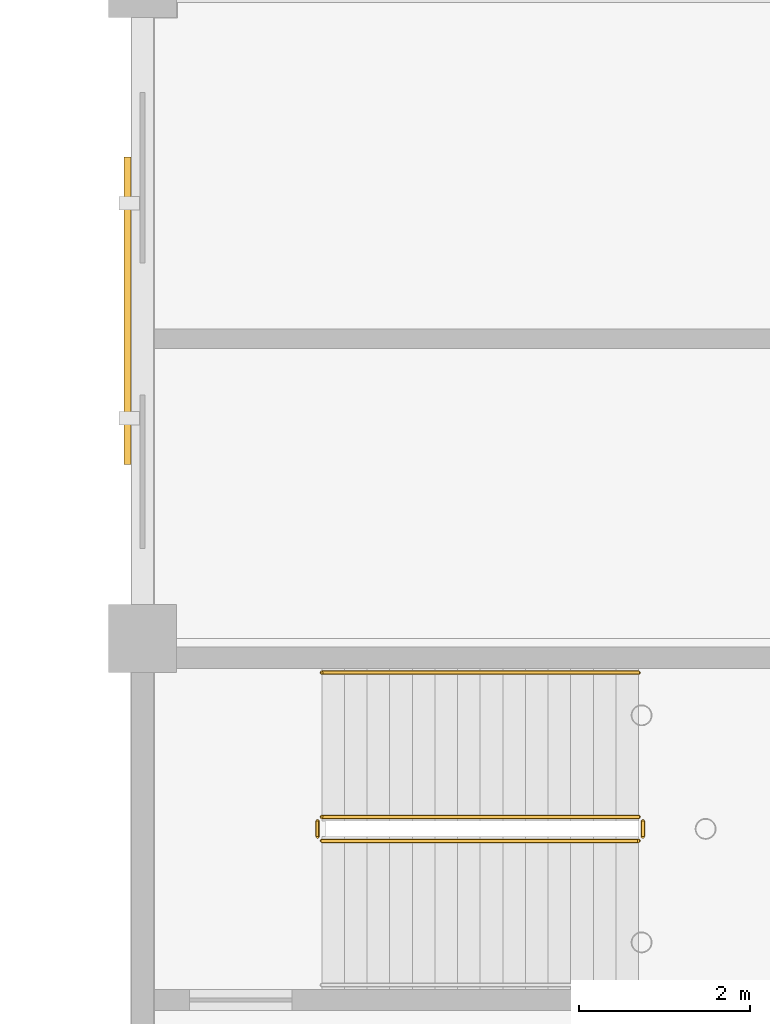
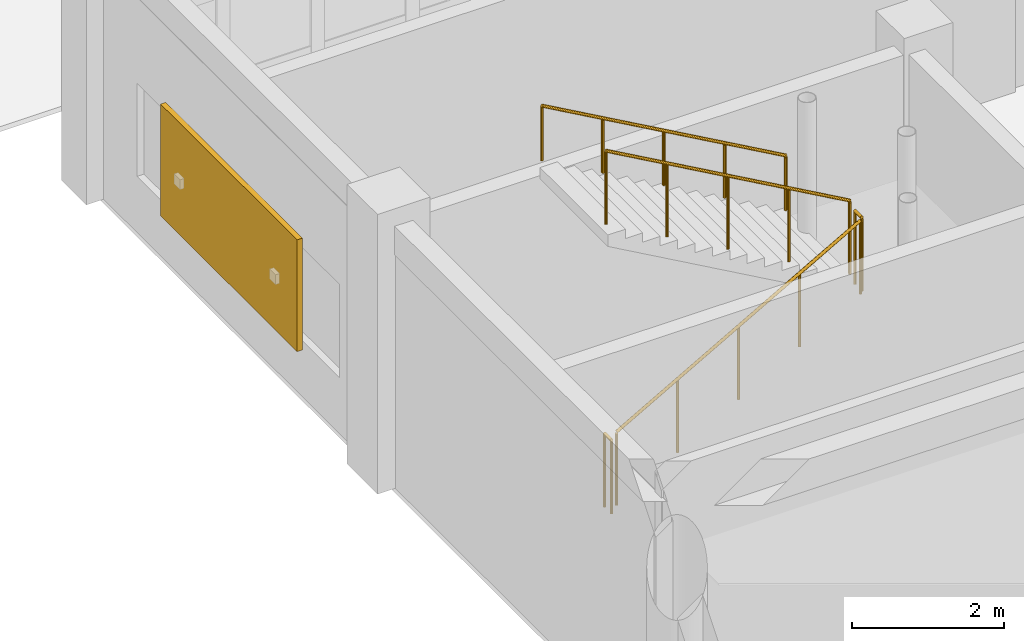
# One storey, part 157 of 166: 5 railings, 1 shading device.
"""IFC4 building model written with IfcOpenShell, lengths in metres."""

from ifc_helpers import new_model, si_unit, direction, frame, origin, origin_2d, place, context, subcontext, project, spatial, rectangle, circle, extrude, material, type_object, element, save


model = new_model("IFC4")

# Units and contexts
model_context = context("Model", 3, precision=1e-05, world=origin(), true_north=direction((0.0, 1.0)))
body_context = subcontext(model_context, "Body", "Model", "MODEL_VIEW")
ifc_project = project(units=[si_unit("LENGTHUNIT", "METRE"), si_unit("AREAUNIT", "SQUARE_METRE"), si_unit("VOLUMEUNIT", "CUBIC_METRE"), si_unit("PLANEANGLEUNIT", "RADIAN"), si_unit("MASSUNIT", "GRAM", prefix="KILO")], contexts=[model_context])

# Site, building, storey
site_placement = place(None, origin())
site = spatial("IfcSite", under=ifc_project, at=site_placement, CompositionType="ELEMENT")
building_placement = place(site_placement, origin())
building = spatial("IfcBuilding", under=site, at=building_placement, Name="Kharva Crest Polytechnic", CompositionType="ELEMENT")
storey_placement = place(building_placement, origin())
storey = spatial("IfcBuildingStorey", under=building, at=storey_placement, Name="L00", CompositionType="ELEMENT", Elevation=0.0)

# Railings
ifc_material_1 = material(Name="Anodised aluminium", Category="aluminium")
railing_type_1 = type_object("IfcRailingType", Name="RL-STAIR-GUARD-1200", PredefinedType="GUARDRAIL", material=ifc_material_1)
railing_1_placement = place(storey_placement, frame((122.89990234375, 28.030029296875, 0.14990234375)))
element("IfcRailing", 1, at=railing_1_placement, inside=storey, type_object=railing_type_1, Name="L00 ST-07 stair guard 1", PredefinedType="GUARDRAIL", context=body_context, shape_type="SweptSolid", body=[
    extrude(circle(Radius=0.02392578125, at=origin_2d()), frame((0.0, 0.0, 1.17578125), z_axis=(0.870258707807, 0.0, 0.492594946671), x_axis=(0.0, 1.0, 0.0)), (0.0, 0.0, 1.0), 4.263427734375),
    extrude(circle(Radius=0.02099609375, at=origin_2d()), origin(), (0.0, 0.0, 1.0), 1.15185546875),
    extrude(circle(Radius=0.02099609375, at=origin_2d()), frame((0.927490234375, 0.0, 0.52490234375)), (0.0, 0.0, 1.0), 1.15185546875),
    extrude(circle(Radius=0.02099609375, at=origin_2d()), frame((1.85498046875, 0.0, 1.050048828125)), (0.0, 0.0, 1.0), 1.15185546875),
    extrude(circle(Radius=0.02099609375, at=origin_2d()), frame((2.78271484375, 0.0, 1.5751953125)), (0.0, 0.0, 1.0), 1.15185546875),
    extrude(circle(Radius=0.02099609375, at=origin_2d()), frame((3.710205078125, 0.0, 2.10009765625)), (0.0, 0.0, 1.0), 1.15185546875),
])
railing_2_placement = place(storey_placement, frame((126.659912109375, 28.080078125, 2.25)))
element("IfcRailing", 2, at=railing_2_placement, inside=storey, type_object=railing_type_1, Name="L00 ST-07 stair guard 2", PredefinedType="GUARDRAIL", context=body_context, shape_type="SweptSolid", body=[
    extrude(circle(Radius=0.02392578125, at=origin_2d()), frame((0.0, 0.0, 1.17578125), z_axis=(0.0, 1.0, 0.0), x_axis=(-1.0, 0.0, 0.0)), (0.0, 0.0, 1.0), 0.179931640625),
    extrude(circle(Radius=0.02099609375, at=origin_2d()), origin(), (0.0, 0.0, 1.0), 1.15185546875),
    extrude(circle(Radius=0.02099609375, at=origin_2d()), frame((0.0, 0.179931640625, 0.0)), (0.0, 0.0, 1.0), 1.15185546875),
])
railing_3_placement = place(storey_placement, frame((126.610107421875, 28.31005859375, 2.39990234375)))
element("IfcRailing", 3, at=railing_3_placement, inside=storey, type_object=railing_type_1, Name="L00 ST-07 stair guard 3", PredefinedType="GUARDRAIL", context=body_context, shape_type="SweptSolid", body=[
    extrude(circle(Radius=0.02392578125, at=origin_2d()), frame((0.0, 0.0, 1.17578125), z_axis=(-0.870258707807, 0.0, 0.492594946671), x_axis=(0.0, -1.0, 0.0)), (0.0, 0.0, 1.0), 4.263427734375),
    extrude(circle(Radius=0.02099609375, at=origin_2d()), origin(), (0.0, 0.0, 1.0), 1.15185546875),
    extrude(circle(Radius=0.02099609375, at=origin_2d()), frame((-0.927490234375, 0.0, 0.52490234375)), (0.0, 0.0, 1.0), 1.15185546875),
    extrude(circle(Radius=0.02099609375, at=origin_2d()), frame((-1.85498046875, 0.0, 1.050048828125)), (0.0, 0.0, 1.0), 1.15185546875),
    extrude(circle(Radius=0.02099609375, at=origin_2d()), frame((-2.78271484375, 0.0, 1.5751953125)), (0.0, 0.0, 1.0), 1.15185546875),
    extrude(circle(Radius=0.02099609375, at=origin_2d()), frame((-3.710205078125, 0.0, 2.10009765625)), (0.0, 0.0, 1.0), 1.15185546875),
])
railing_4_placement = place(storey_placement, frame((122.85009765625, 28.080078125, 0.0)))
element("IfcRailing", 4, at=railing_4_placement, inside=storey, type_object=railing_type_1, Name="L00 ST-07 stair guard 4", PredefinedType="GUARDRAIL", context=body_context, shape_type="SweptSolid", body=[
    extrude(circle(Radius=0.02392578125, at=origin_2d()), frame((0.0, 0.0, 1.17578125), z_axis=(0.0, 1.0, 0.0), x_axis=(-1.0, 0.0, 0.0)), (0.0, 0.0, 1.0), 0.179931640625),
    extrude(circle(Radius=0.02099609375, at=origin_2d()), origin(), (0.0, 0.0, 1.0), 1.15185546875),
    extrude(circle(Radius=0.02099609375, at=origin_2d()), frame((0.0, 0.179931640625, 0.0)), (0.0, 0.0, 1.0), 1.15185546875),
])
ifc_material_2 = material(Name="Teak timber", Category="wood")
railing_type_2 = type_object("IfcRailingType", Name="RL-STAIR-HAND-900", PredefinedType="HANDRAIL", material=ifc_material_2)
railing_5_placement = place(storey_placement, frame((126.610107421875, 30.0, 2.39990234375)))
element("IfcRailing", 5, at=railing_5_placement, inside=storey, type_object=railing_type_2, Name="L00 ST-07 stair handrail 2", PredefinedType="HANDRAIL", context=body_context, shape_type="SweptSolid", body=[
    extrude(circle(Radius=0.02392578125, at=origin_2d()), frame((0.0, 0.0, 0.8759765625), z_axis=(-0.870258707807, 0.0, 0.492594946671), x_axis=(0.0, -1.0, 0.0)), (0.0, 0.0, 1.0), 4.263427734375),
    extrude(circle(Radius=0.02099609375, at=origin_2d()), origin(), (0.0, 0.0, 1.0), 0.851806640625),
    extrude(circle(Radius=0.02099609375, at=origin_2d()), frame((-0.927490234375, 0.0, 0.52490234375)), (0.0, 0.0, 1.0), 0.851806640625),
    extrude(circle(Radius=0.02099609375, at=origin_2d()), frame((-1.85498046875, 0.0, 1.050048828125)), (0.0, 0.0, 1.0), 0.851806640625),
    extrude(circle(Radius=0.02099609375, at=origin_2d()), frame((-2.78271484375, 0.0, 1.5751953125)), (0.0, 0.0, 1.0), 0.851806640625),
    extrude(circle(Radius=0.02099609375, at=origin_2d()), frame((-3.710205078125, 0.0, 2.10009765625)), (0.0, 0.0, 1.0), 0.851806640625),
])

# Shading device
ifc_material_3 = material(Name="Perforated terracotta", Category="masonry")
shading_device_type = type_object("IfcShadingDeviceType", Name="SHD-JAALI-3600X1800", PredefinedType="USERDEFINED", material=ifc_material_3)
shading_device_placement = place(storey_placement, frame((120.62451171875, 34.237548828125, 0.75), z_axis=(0.0, 0.0, 1.0), x_axis=(0.0, 1.0, 0.0)))
element("IfcShadingDevice", 6, at=shading_device_placement, inside=storey, type_object=shading_device_type, Name="L00 Terracotta Jaali Solar Screen 9", ObjectType="LOUVRE", PredefinedType="USERDEFINED", context=body_context, shape_type="SweptSolid", body=[
    extrude(rectangle(XDim=3.60009765625, YDim=0.080078125, at=origin_2d()), origin(), (0.0, 0.0, 1.0), 1.800048828125),
])

save(model, "model.ifc")
